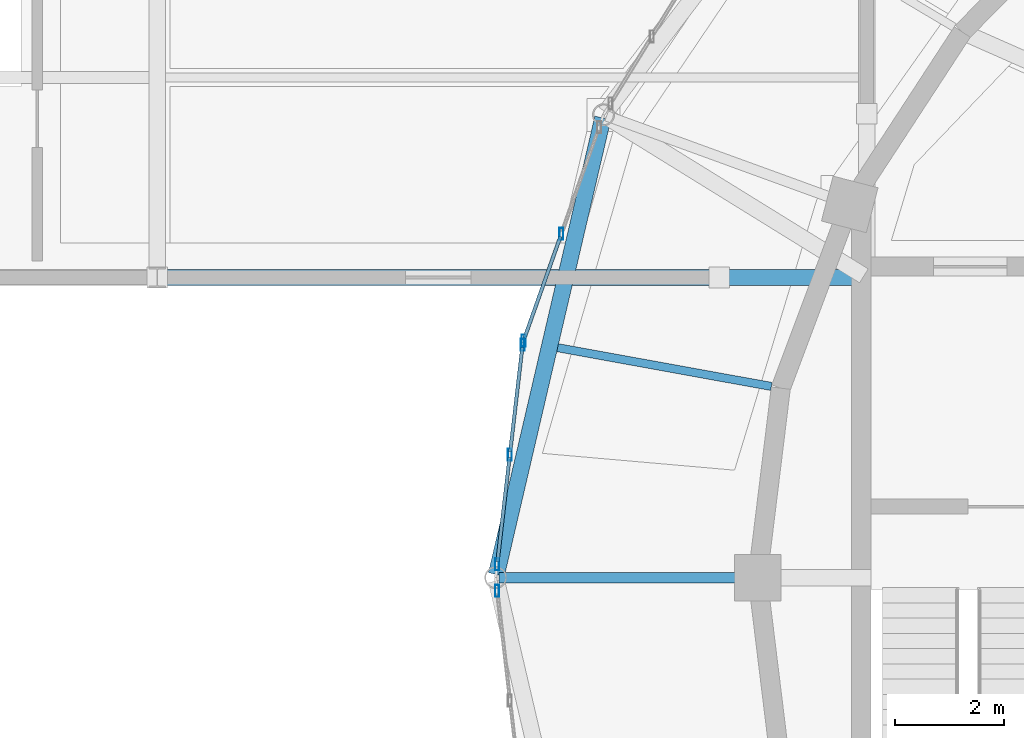
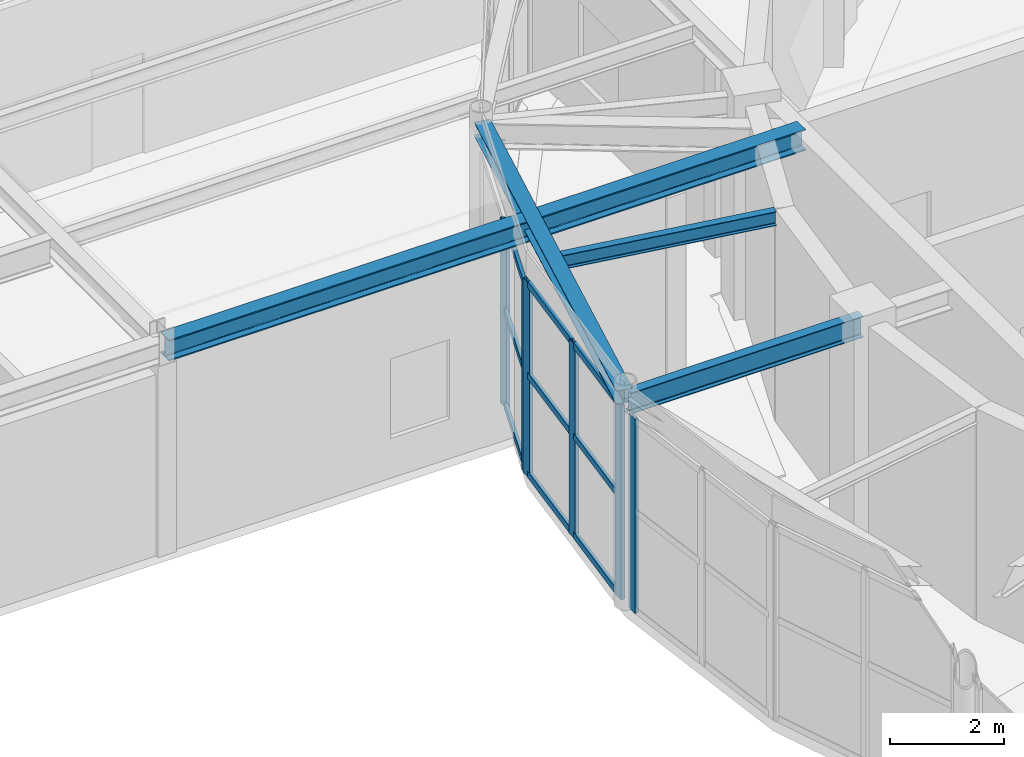
# One storey, part 28 of 100: 15 members, 4 beams, 3 elements without a shape of their own.
"""IFC4 building model written with IfcOpenShell, lengths in metres."""

from ifc_helpers import new_model, si_unit, direction, frame, origin, origin_2d, place, context, subcontext, project, spatial, hollow_rectangle, i_section, extrude, material, material_profile, profile_set, type_object, element, aggregate, save


model = new_model("IFC4")

# Units and contexts
model_context = context("Model", 3, precision=1e-05, world=origin(), true_north=direction((0.0, 1.0)))
body_context = subcontext(model_context, "Body", "Model", "MODEL_VIEW")
ifc_project = project(units=[si_unit("LENGTHUNIT", "METRE"), si_unit("AREAUNIT", "SQUARE_METRE"), si_unit("VOLUMEUNIT", "CUBIC_METRE"), si_unit("PLANEANGLEUNIT", "RADIAN"), si_unit("MASSUNIT", "GRAM", prefix="KILO")], contexts=[model_context])

# Site, building, storey
site_placement = place(None, origin())
site = spatial("IfcSite", under=ifc_project, at=site_placement, CompositionType="ELEMENT")
building_placement = place(site_placement, origin())
building = spatial("IfcBuilding", under=site, at=building_placement, Name="Tarnveldt Headland Concert Hall", CompositionType="ELEMENT")
storey_placement = place(building_placement, frame((0.0, 0.0, 4.800048828125)))
storey = spatial("IfcBuildingStorey", under=building, at=storey_placement, Name="L01", CompositionType="ELEMENT", Elevation=4.800048828125)

# Curtain wall, members
ifc_material_1 = material(Name="Marine-anodised aluminium EN AW-6063-T6", Category="aluminium")
curtain_wall_type = type_object("IfcCurtainWallType", Name="CW-F2", PredefinedType="NOTDEFINED", material=ifc_material_1)
curtain_wall_1_placement = place(storey_placement, origin())
curtain_wall_1 = element("IfcCurtainWall", 1, at=curtain_wall_1_placement, inside=storey, type_object=curtain_wall_type, Name="Curtain wall CW-L01-043", PredefinedType="NOTDEFINED")
ifc_material_profile_1 = material_profile(ifc_material_1, hollow_rectangle(XDim=0.074951171875, YDim=0.219970703125, WallThickness=0.0048828125, at=origin_2d()), Name="ALU MULLION 75x220x5", Category="aluminium")
ifc_profile_set_1 = profile_set([ifc_material_profile_1], Name="Marine-anodised aluminium EN AW-6063-T6")
member_type_1 = type_object("IfcMemberType", Name="ML-200", PredefinedType="MULLION", material=ifc_profile_set_1)
member_1_placement = place(storey_placement, frame((51.904296875, 60.798583984375, 0.0), z_axis=(0.0, 0.0, 1.0), x_axis=(1.0, 0.0, 0.0)))
member_1 = element("IfcMember", 2, at=member_1_placement, type_object=member_type_1, Name="Mullion CW-L01-043-2", PredefinedType="MULLION", context=body_context, shape_type="SweptSolid", body=[
    extrude(hollow_rectangle(XDim=0.074951171875, YDim=0.219970703125, WallThickness=0.0048828125, at=origin_2d()), origin(), (0.0, 0.0, 1.0), 3.97802734375),
])
member_2_placement = place(storey_placement, frame((51.211669921875, 58.84423828125, 0.0), z_axis=(0.0, 0.0, 1.0), x_axis=(1.0, 0.0, 0.0)))
member_2 = element("IfcMember", 3, at=member_2_placement, type_object=member_type_1, Name="Mullion CW-L01-043-3", PredefinedType="MULLION", context=body_context, shape_type="SweptSolid", body=[
    extrude(hollow_rectangle(XDim=0.074951171875, YDim=0.219970703125, WallThickness=0.0048828125, at=origin_2d()), origin(), (0.0, 0.0, 1.0), 3.97802734375),
])

curtain_wall_2_placement = place(storey_placement, origin())
curtain_wall_2 = element("IfcCurtainWall", 4, at=curtain_wall_2_placement, inside=storey, type_object=curtain_wall_type, Name="Curtain wall CW-L01-044", PredefinedType="NOTDEFINED")
member_3_placement = place(storey_placement, frame((51.193603515625, 58.766845703125, 0.0), z_axis=(0.0, 0.0, 1.0), x_axis=(1.0, 0.0, 0.0)))
member_3 = element("IfcMember", 5, at=member_3_placement, type_object=member_type_1, Name="Mullion CW-L01-044-1", PredefinedType="MULLION", context=body_context, shape_type="SweptSolid", body=[
    extrude(hollow_rectangle(XDim=0.074951171875, YDim=0.219970703125, WallThickness=0.0048828125, at=origin_2d()), origin(), (0.0, 0.0, 1.0), 4.159912109375),
])
member_4_placement = place(storey_placement, frame((50.9609375, 56.754150390625, 0.0), z_axis=(0.0, 0.0, 1.0), x_axis=(1.0, 0.0, 0.0)))
member_4 = element("IfcMember", 6, at=member_4_placement, type_object=member_type_1, Name="Mullion CW-L01-044-2", PredefinedType="MULLION", context=body_context, shape_type="SweptSolid", body=[
    extrude(hollow_rectangle(XDim=0.074951171875, YDim=0.219970703125, WallThickness=0.0048828125, at=origin_2d()), origin(), (0.0, 0.0, 1.0), 4.159912109375),
])
member_5_placement = place(storey_placement, frame((50.72802734375, 54.74169921875, 0.0), z_axis=(0.0, 0.0, 1.0), x_axis=(1.0, 0.0, 0.0)))
member_5 = element("IfcMember", 7, at=member_5_placement, type_object=member_type_1, Name="Mullion CW-L01-044-3", PredefinedType="MULLION", context=body_context, shape_type="SweptSolid", body=[
    extrude(hollow_rectangle(XDim=0.074951171875, YDim=0.219970703125, WallThickness=0.0048828125, at=origin_2d()), origin(), (0.0, 0.0, 1.0), 4.159912109375),
])

# Curtain wall, member
curtain_wall_3_placement = place(storey_placement, origin())
curtain_wall_3 = element("IfcCurtainWall", 8, at=curtain_wall_3_placement, inside=storey, type_object=curtain_wall_type, Name="Curtain wall CW-L01-045", PredefinedType="NOTDEFINED")
member_6_placement = place(storey_placement, frame((50.72802734375, 54.25830078125, 0.0), z_axis=(0.0, 0.0, 1.0), x_axis=(1.0, 0.0, 0.0)))
member_6 = element("IfcMember", 9, at=member_6_placement, type_object=member_type_1, Name="Mullion CW-L01-045-1", PredefinedType="MULLION", context=body_context, shape_type="SweptSolid", body=[
    extrude(hollow_rectangle(XDim=0.074951171875, YDim=0.219970703125, WallThickness=0.0048828125, at=origin_2d()), origin(), (0.0, 0.0, 1.0), 4.159912109375),
])
aggregate(curtain_wall_3, [member_6])

# Beams
ifc_material_2 = material(Name="Steel S355", Category="steel")
ifc_material_profile_2 = material_profile(ifc_material_2, i_section(OverallWidth=0.300048828125, OverallDepth=0.2900390625, WebThickness=0.008544921875, FlangeThickness=0.013916015625, FilletRadius=0.027099609375, at=origin_2d()), Name="HEA300", Category="steel")
ifc_profile_set_2 = profile_set([ifc_material_profile_2], Name="Steel S355")
beam_type_1 = type_object("IfcBeamType", Name="SB-HEA300", PredefinedType="SPANDREL", material=ifc_profile_set_2)
beam_1_placement = place(storey_placement, frame((52.66455078125, 62.923583984375, 4.39501953125), z_axis=(-0.227123591729, -0.973865942561, 0.0), x_axis=(0.973865942561, -0.227123591729, 0.0)))
element("IfcBeam", 10, at=beam_1_placement, inside=storey, type_object=beam_type_1, Name="Framing beam L01-702", PredefinedType="SPANDREL", context=body_context, shape_type="SweptSolid", body=[
    extrude(i_section(OverallWidth=0.300048828125, OverallDepth=0.2900390625, WebThickness=0.008544921875, FlangeThickness=0.013916015625, FilletRadius=0.027099609375, at=origin_2d()), origin(), (0.0, 0.0, 1.0), 8.589599609375),
])
ifc_material_profile_3 = material_profile(ifc_material_2, i_section(OverallWidth=0.300048828125, OverallDepth=0.449951171875, WebThickness=0.013916015625, FlangeThickness=0.02587890625, FilletRadius=0.027099609375, at=origin_2d()), Name="HEB450", Category="steel")
ifc_profile_set_3 = profile_set([ifc_material_profile_3], Name="Steel S355")
beam_type_2 = type_object("IfcBeamType", Name="SB-HEB450", PredefinedType="BEAM", material=ifc_profile_set_3)
beam_2_placement = place(storey_placement, frame((44.56005859375, 60.0, 4.31494140625), z_axis=(1.0, 0.0, 0.0), x_axis=(0.0, 1.0, 0.0)))
element("IfcBeam", 11, at=beam_2_placement, inside=storey, type_object=beam_type_2, Name="Framing beam L01-920", PredefinedType="BEAM", context=body_context, shape_type="SweptSolid", body=[
    extrude(i_section(OverallWidth=0.300048828125, OverallDepth=0.449951171875, WebThickness=0.013916015625, FlangeThickness=0.02587890625, FilletRadius=0.027099609375, at=origin_2d()), origin(), (0.0, 0.0, 1.0), 12.8798828125),
])
ifc_material_profile_4 = material_profile(ifc_material_2, i_section(OverallWidth=0.14990234375, OverallDepth=0.300048828125, WebThickness=0.007080078125, FlangeThickness=0.0107421875, FilletRadius=0.014892578125, at=origin_2d()), Name="IPE300", Category="steel")
ifc_profile_set_4 = profile_set([ifc_material_profile_4], Name="Steel S355")
beam_type_3 = type_object("IfcBeamType", Name="SB-IPE300", PredefinedType="JOIST", material=ifc_profile_set_4)
beam_3_placement = place(storey_placement, frame((55.753173828125, 58.004150390625, 4.389892578125), z_axis=(-0.983953220183, 0.178426624954, 0.0), x_axis=(-0.178426624954, -0.983953220183, 0.0)))
element("IfcBeam", 12, at=beam_3_placement, inside=storey, type_object=beam_type_3, Name="Framing beam L01-704", PredefinedType="JOIST", context=body_context, shape_type="SweptSolid", body=[
    extrude(i_section(OverallWidth=0.14990234375, OverallDepth=0.300048828125, WebThickness=0.007080078125, FlangeThickness=0.0107421875, FilletRadius=0.014892578125, at=origin_2d()), origin(), (0.0, 0.0, 1.0), 3.98046875),
])
ifc_material_profile_5 = material_profile(ifc_material_2, i_section(OverallWidth=0.18994140625, OverallDepth=0.449951171875, WebThickness=0.009521484375, FlangeThickness=0.0146484375, FilletRadius=0.02099609375, at=origin_2d()), Name="IPE450", Category="steel")
ifc_profile_set_5 = profile_set([ifc_material_profile_5], Name="Steel S355")
beam_type_4 = type_object("IfcBeamType", Name="SB-IPE450", PredefinedType="BEAM", material=ifc_profile_set_5)
beam_4_placement = place(storey_placement, frame((55.4599609375, 54.5, 4.31494140625), z_axis=(-1.0, 0.0, 0.0), x_axis=(0.0, -1.0, 0.0)))
element("IfcBeam", 13, at=beam_4_placement, inside=storey, type_object=beam_type_4, Name="Framing beam L01-706", PredefinedType="BEAM", context=body_context, shape_type="SweptSolid", body=[
    extrude(i_section(OverallWidth=0.18994140625, OverallDepth=0.449951171875, WebThickness=0.009521484375, FlangeThickness=0.0146484375, FilletRadius=0.02099609375, at=origin_2d()), origin(), (0.0, 0.0, 1.0), 4.699951171875),
])

# Member
ifc_material_profile_6 = material_profile(ifc_material_1, hollow_rectangle(XDim=0.06494140625, YDim=0.139892578125, WallThickness=0.00390625, at=origin_2d()), Name="ALU TRANSOM 65x140x4", Category="aluminium")
ifc_profile_set_6 = profile_set([ifc_material_profile_6], Name="Marine-anodised aluminium EN AW-6063-T6")
member_type_2 = type_object("IfcMemberType", Name="TR-140", PredefinedType="MEMBER", material=ifc_profile_set_6)
member_7_placement = place(storey_placement, frame((51.8876953125, 60.751953125, 0.050048828125), z_axis=(-0.333977607749, -0.942581008467, 0.0), x_axis=(0.942581008467, -0.333977607749, 0.0)))
member_7 = element("IfcMember", 14, at=member_7_placement, type_object=member_type_2, Name="Transom CW-L01-043-2-1", PredefinedType="MEMBER", context=body_context, shape_type="SweptSolid", body=[
    extrude(hollow_rectangle(XDim=0.06494140625, YDim=0.139892578125, WallThickness=0.00390625, at=origin_2d()), origin(), (0.0, 0.0, 1.0), 1.974365234375),
])

member_8_placement = place(storey_placement, frame((51.8876953125, 60.751953125, 2.068603515625), z_axis=(-0.333977607749, -0.942581008467, 0.0), x_axis=(0.942581008467, -0.333977607749, 0.0)))
member_8 = element("IfcMember", 15, at=member_8_placement, type_object=member_type_2, Name="Transom CW-L01-043-2-2", PredefinedType="MEMBER", context=body_context, shape_type="SweptSolid", body=[
    extrude(hollow_rectangle(XDim=0.06494140625, YDim=0.139892578125, WallThickness=0.00390625, at=origin_2d()), origin(), (0.0, 0.0, 1.0), 1.974365234375),
])

member_9_placement = place(storey_placement, frame((51.8876953125, 60.751953125, 3.927978515625), z_axis=(-0.333977607749, -0.942581008467, 0.0), x_axis=(0.942581008467, -0.333977607749, 0.0)))
member_9 = element("IfcMember", 16, at=member_9_placement, type_object=member_type_2, Name="Transom CW-L01-043-2-3", PredefinedType="MEMBER", context=body_context, shape_type="SweptSolid", body=[
    extrude(hollow_rectangle(XDim=0.06494140625, YDim=0.139892578125, WallThickness=0.00390625, at=origin_2d()), origin(), (0.0, 0.0, 1.0), 1.974365234375),
])

aggregate(curtain_wall_1, [member_1, member_2, member_7, member_8, member_9])

member_10_placement = place(storey_placement, frame((51.18798828125, 58.717529296875, 0.050048828125), z_axis=(-0.114922277943, -0.9933744863, 0.0), x_axis=(0.9933744863, -0.114922277943, 0.0)))
member_10 = element("IfcMember", 17, at=member_10_placement, type_object=member_type_2, Name="Transom CW-L01-044-1-1", PredefinedType="MEMBER", context=body_context, shape_type="SweptSolid", body=[
    extrude(hollow_rectangle(XDim=0.06494140625, YDim=0.139892578125, WallThickness=0.00390625, at=origin_2d()), origin(), (0.0, 0.0, 1.0), 1.9267578125),
])

member_11_placement = place(storey_placement, frame((51.18798828125, 58.717529296875, 2.1630859375), z_axis=(-0.114922277943, -0.9933744863, 0.0), x_axis=(0.9933744863, -0.114922277943, 0.0)))
member_11 = element("IfcMember", 18, at=member_11_placement, type_object=member_type_2, Name="Transom CW-L01-044-1-2", PredefinedType="MEMBER", context=body_context, shape_type="SweptSolid", body=[
    extrude(hollow_rectangle(XDim=0.06494140625, YDim=0.139892578125, WallThickness=0.00390625, at=origin_2d()), origin(), (0.0, 0.0, 1.0), 1.9267578125),
])

member_12_placement = place(storey_placement, frame((51.18798828125, 58.717529296875, 4.10986328125), z_axis=(-0.114922277943, -0.9933744863, 0.0), x_axis=(0.9933744863, -0.114922277943, 0.0)))
member_12 = element("IfcMember", 19, at=member_12_placement, type_object=member_type_2, Name="Transom CW-L01-044-1-3", PredefinedType="MEMBER", context=body_context, shape_type="SweptSolid", body=[
    extrude(hollow_rectangle(XDim=0.06494140625, YDim=0.139892578125, WallThickness=0.00390625, at=origin_2d()), origin(), (0.0, 0.0, 1.0), 1.9267578125),
])

member_13_placement = place(storey_placement, frame((50.955078125, 56.705078125, 0.050048828125), z_axis=(-0.114907814894, -0.993376159406, 0.0), x_axis=(0.993376159406, -0.114907814894, 0.0)))
member_13 = element("IfcMember", 20, at=member_13_placement, type_object=member_type_2, Name="Transom CW-L01-044-2-1", PredefinedType="MEMBER", context=body_context, shape_type="SweptSolid", body=[
    extrude(hollow_rectangle(XDim=0.06494140625, YDim=0.139892578125, WallThickness=0.00390625, at=origin_2d()), origin(), (0.0, 0.0, 1.0), 1.927001953125),
])

member_14_placement = place(storey_placement, frame((50.955078125, 56.705078125, 2.1630859375), z_axis=(-0.114907814894, -0.993376159406, 0.0), x_axis=(0.993376159406, -0.114907814894, 0.0)))
member_14 = element("IfcMember", 21, at=member_14_placement, type_object=member_type_2, Name="Transom CW-L01-044-2-2", PredefinedType="MEMBER", context=body_context, shape_type="SweptSolid", body=[
    extrude(hollow_rectangle(XDim=0.06494140625, YDim=0.139892578125, WallThickness=0.00390625, at=origin_2d()), origin(), (0.0, 0.0, 1.0), 1.927001953125),
])

member_15_placement = place(storey_placement, frame((50.955078125, 56.705078125, 4.10986328125), z_axis=(-0.114907814894, -0.993376159406, 0.0), x_axis=(0.993376159406, -0.114907814894, 0.0)))
member_15 = element("IfcMember", 22, at=member_15_placement, type_object=member_type_2, Name="Transom CW-L01-044-2-3", PredefinedType="MEMBER", context=body_context, shape_type="SweptSolid", body=[
    extrude(hollow_rectangle(XDim=0.06494140625, YDim=0.139892578125, WallThickness=0.00390625, at=origin_2d()), origin(), (0.0, 0.0, 1.0), 1.927001953125),
])

aggregate(curtain_wall_2, [member_3, member_4, member_5, member_10, member_11, member_12, member_13, member_14, member_15])

save(model, "model.ifc")
